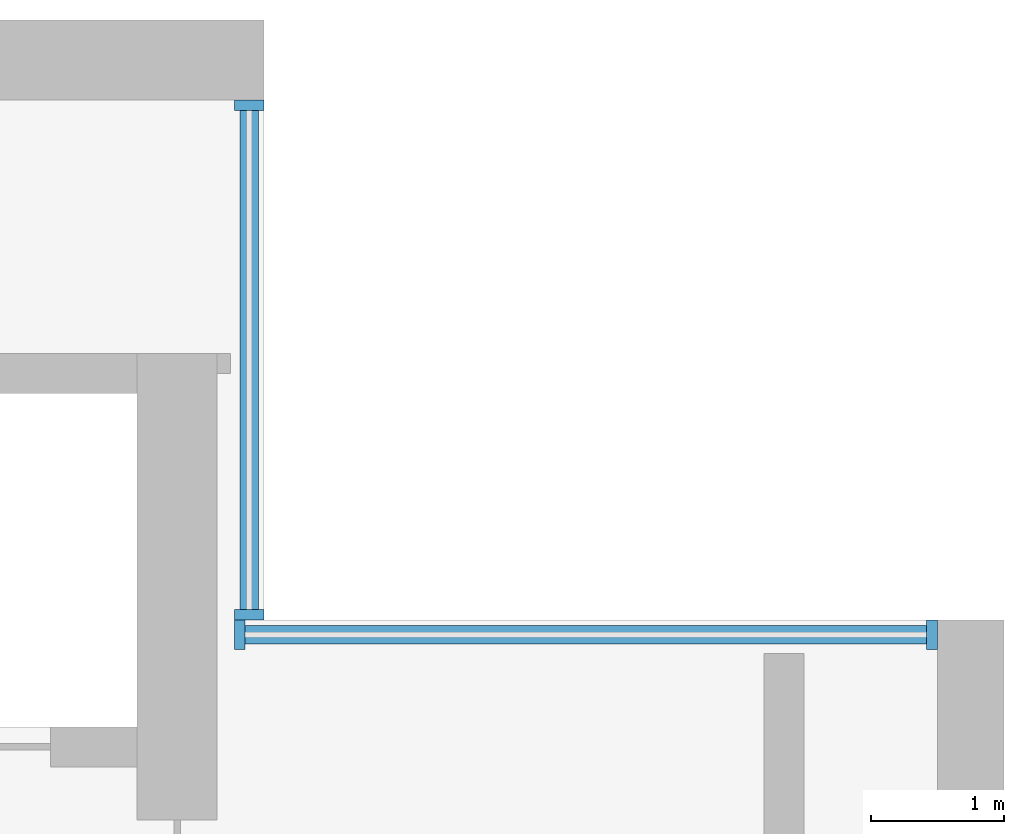
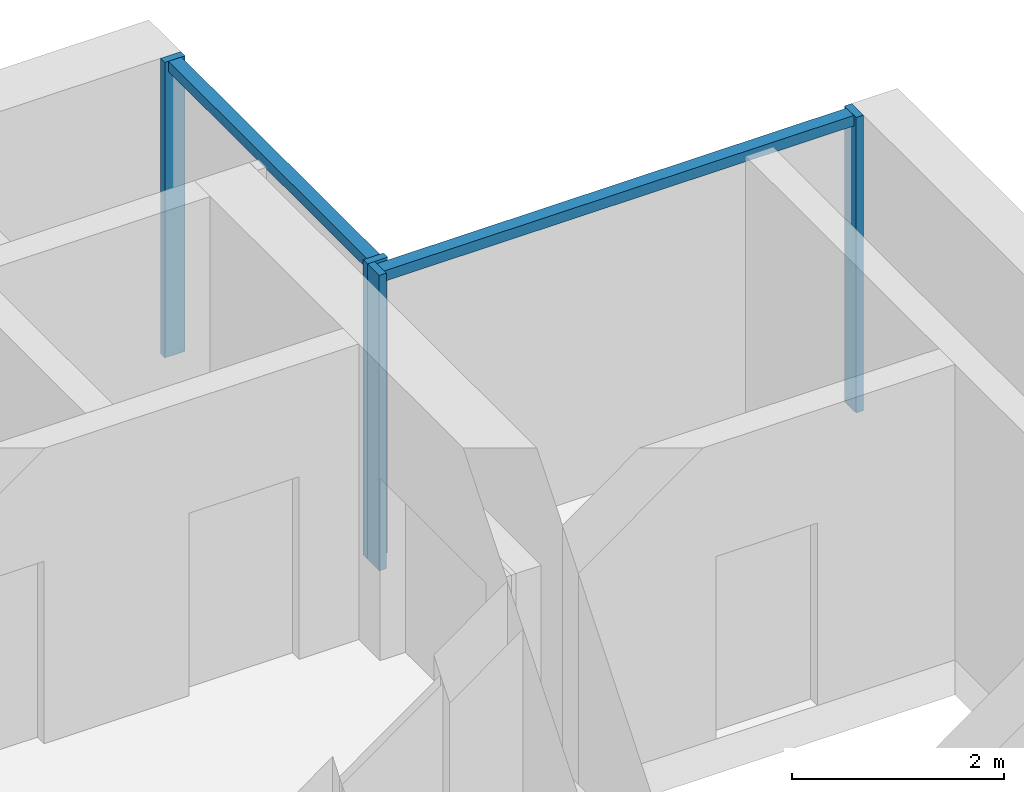
# One storey, part 5 of 14: 6 members, 2 elements without a shape of their own.
"""IFC4 building model written with IfcOpenShell, lengths in metres."""

from ifc_helpers import new_model, si_unit, direction, frame, origin, origin_2d, place, context, subcontext, project, spatial, rectangle, extrude, material, material_profile, profile_set, type_object, element, aggregate, save


model = new_model("IFC4")

# Units and contexts
model_context = context("Model", 3, precision=1e-05, world=origin(), true_north=direction((0.0, 1.0)))
body_context = subcontext(model_context, "Body", "Model", "MODEL_VIEW")
ifc_project = project(units=[si_unit("LENGTHUNIT", "METRE"), si_unit("AREAUNIT", "SQUARE_METRE"), si_unit("VOLUMEUNIT", "CUBIC_METRE"), si_unit("PLANEANGLEUNIT", "RADIAN"), si_unit("MASSUNIT", "GRAM", prefix="KILO")], contexts=[model_context])

# Site, building, storey
site_placement = place(None, origin())
site = spatial("IfcSite", under=ifc_project, at=site_placement, CompositionType="ELEMENT")
building_placement = place(site_placement, origin())
building = spatial("IfcBuilding", under=site, at=building_placement, Name="Calvaro Tower", CompositionType="ELEMENT")
storey_placement = place(building_placement, frame((0.0, 0.0, 254.550048828125)))
storey = spatial("IfcBuildingStorey", under=building, at=storey_placement, Name="L64", CompositionType="ELEMENT", Elevation=254.550048828125)

# Curtain wall, members
ifc_material_1 = material(Name="Anodised aluminium", Category="aluminium")
curtain_wall_type = type_object("IfcCurtainWallType", Name="Executive curtain wall", PredefinedType="NOTDEFINED", material=ifc_material_1)
curtain_wall_1_placement = place(storey_placement, origin())
curtain_wall_1 = element("IfcCurtainWall", 1, at=curtain_wall_1_placement, inside=storey, type_object=curtain_wall_type, Name="CW4 corner curtain wall", PredefinedType="NOTDEFINED")
ifc_material_2 = material(Name="Anodised aluminium", Category="aluminium")
ifc_material_profile_1 = material_profile(ifc_material_2, rectangle(XDim=0.219970703125, YDim=0.080078125, at=origin_2d()), Name="Mullion S4 80 x 220")
ifc_profile_set_1 = profile_set([ifc_material_profile_1], Name="Anodised aluminium")
member_type_1 = type_object("IfcMemberType", Name="Mullion S4 80 x 220", PredefinedType="MULLION", material=ifc_profile_set_1)
member_1_placement = place(storey_placement, frame((60.340087890625, 41.5400390625, 0.0), z_axis=(0.0, 0.0, 1.0), x_axis=(-1.0, 0.0, 0.0)))
member_1 = element("IfcMember", 2, at=member_1_placement, type_object=member_type_1, Name="CW4 mullion 1", PredefinedType="MULLION", context=body_context, shape_type="SweptSolid", body=[
    extrude(rectangle(XDim=0.219970703125, YDim=0.080078125, at=origin_2d()), origin(), (0.0, 0.0, 1.0), 3.39990234375),
])
member_2_placement = place(storey_placement, frame((60.340087890625, 45.360107421875, 0.0), z_axis=(0.0, 0.0, 1.0), x_axis=(-1.0, 0.0, 0.0)))
member_2 = element("IfcMember", 3, at=member_2_placement, type_object=member_type_1, Name="CW4 mullion 2", PredefinedType="MULLION", context=body_context, shape_type="SweptSolid", body=[
    extrude(rectangle(XDim=0.219970703125, YDim=0.080078125, at=origin_2d()), origin(), (0.0, 0.0, 1.0), 3.39990234375),
])

curtain_wall_2_placement = place(storey_placement, origin())
curtain_wall_2 = element("IfcCurtainWall", 4, at=curtain_wall_2_placement, inside=storey, type_object=curtain_wall_type, Name="CW4 corner curtain wall", PredefinedType="NOTDEFINED")
member_3_placement = place(storey_placement, frame((60.27001953125, 41.389892578125, 0.0), z_axis=(0.0, 0.0, 1.0), x_axis=(0.0, 1.0, 0.0)))
member_3 = element("IfcMember", 5, at=member_3_placement, type_object=member_type_1, Name="CW4 mullion 1", PredefinedType="MULLION", context=body_context, shape_type="SweptSolid", body=[
    extrude(rectangle(XDim=0.219970703125, YDim=0.080078125, at=origin_2d()), origin(), (0.0, 0.0, 1.0), 3.39990234375),
])
member_4_placement = place(storey_placement, frame((65.4599609375, 41.389892578125, 0.0), z_axis=(0.0, 0.0, 1.0), x_axis=(0.0, 1.0, 0.0)))
member_4 = element("IfcMember", 6, at=member_4_placement, type_object=member_type_1, Name="CW4 mullion 2", PredefinedType="MULLION", context=body_context, shape_type="SweptSolid", body=[
    extrude(rectangle(XDim=0.219970703125, YDim=0.080078125, at=origin_2d()), origin(), (0.0, 0.0, 1.0), 3.39990234375),
])

# Member
ifc_material_3 = material(Name="Anodised aluminium", Category="aluminium")
ifc_material_profile_2 = material_profile(ifc_material_3, rectangle(XDim=0.139892578125, YDim=0.1201171875, at=origin_2d()), Name="Transom S4 120 x 140")
ifc_profile_set_2 = profile_set([ifc_material_profile_2], Name="Anodised aluminium")
member_type_2 = type_object("IfcMemberType", Name="Transom S4 120 x 140", PredefinedType="USERDEFINED", material=ifc_profile_set_2)
member_5_placement = place(storey_placement, frame((60.340087890625, 41.580078125, 3.33984375), z_axis=(0.0, 1.0, 0.0), x_axis=(-1.0, 0.0, 0.0)))
member_5 = element("IfcMember", 7, at=member_5_placement, type_object=member_type_2, Name="CW4 transom 1.1", ObjectType="TRANSOM", PredefinedType="USERDEFINED", context=body_context, shape_type="SweptSolid", body=[
    extrude(rectangle(XDim=0.139892578125, YDim=0.1201171875, at=origin_2d()), origin(), (0.0, 0.0, 1.0), 3.739990234375),
])

aggregate(curtain_wall_1, [member_1, member_2, member_5])

member_6_placement = place(storey_placement, frame((60.31005859375, 41.389892578125, 3.33984375), z_axis=(1.0, 0.0, 0.0), x_axis=(0.0, 1.0, 0.0)))
member_6 = element("IfcMember", 8, at=member_6_placement, type_object=member_type_2, Name="CW4 transom 1.1", ObjectType="TRANSOM", PredefinedType="USERDEFINED", context=body_context, shape_type="SweptSolid", body=[
    extrude(rectangle(XDim=0.139892578125, YDim=0.1201171875, at=origin_2d()), origin(), (0.0, 0.0, 1.0), 5.10986328125),
])

aggregate(curtain_wall_2, [member_3, member_4, member_6])

save(model, "model.ifc")
